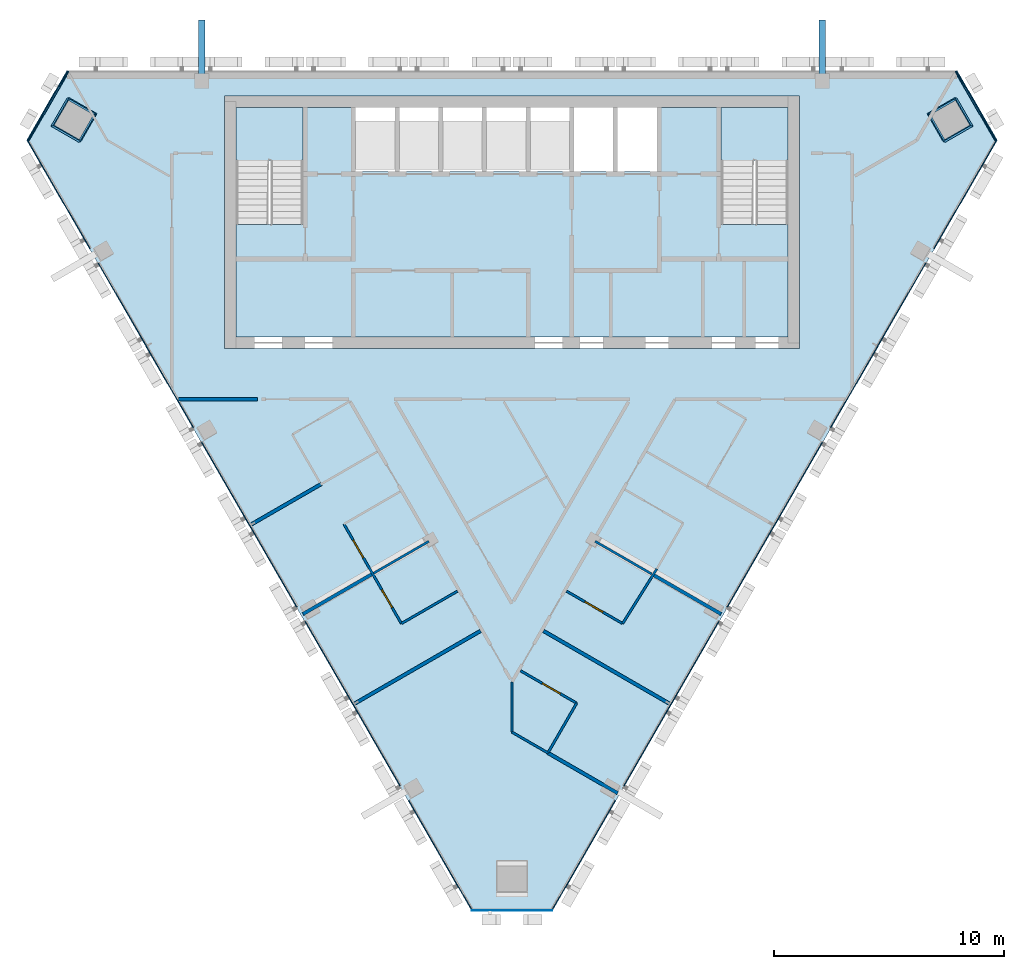
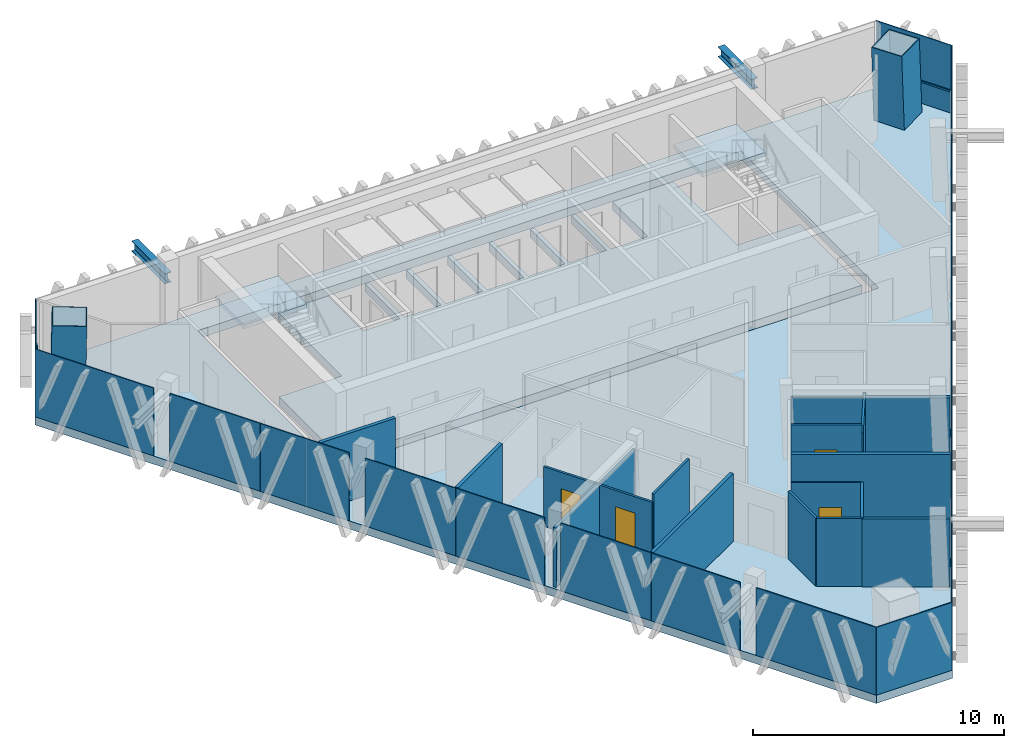
# One storey, part 5 of 12: 19 plates, 17 walls, 6 members, 4 doors, 4 slabs, 4 openings, 7 elements without a shape of their own.
"""IFC4 building model written with IfcOpenShell, lengths in metres."""

from ifc_helpers import new_model, si_unit, direction, frame, frame_2d, origin, origin_2d, place, context, subcontext, project, spatial, polyline, rectangle, hollow_rectangle, i_section, outline, extrude, material, layer, layer_set, material_profile, profile_set, type_object, element, fill, aggregate, save


model = new_model("IFC4")

# Units and contexts
model_context = context("Model", 3, precision=1e-05, world=origin(), true_north=direction((0.0, 1.0)))
body_context = subcontext(model_context, "Body", "Model", "MODEL_VIEW")
ifc_project = project(units=[si_unit("LENGTHUNIT", "METRE"), si_unit("AREAUNIT", "SQUARE_METRE"), si_unit("VOLUMEUNIT", "CUBIC_METRE"), si_unit("PLANEANGLEUNIT", "RADIAN"), si_unit("MASSUNIT", "GRAM", prefix="KILO")], contexts=[model_context])

# Site, building, storey
site_placement = place(None, origin())
site = spatial("IfcSite", under=ifc_project, at=site_placement, CompositionType="ELEMENT")
building_placement = place(site_placement, origin())
building = spatial("IfcBuilding", under=site, at=building_placement, Name="Altiplano Prism Tower", CompositionType="ELEMENT")
storey_placement = place(building_placement, frame((0.0, 0.0, 331.0)))
storey = spatial("IfcBuildingStorey", under=building, at=storey_placement, Name="L86", CompositionType="ELEMENT", Elevation=331.0)

# Members
ifc_material_1 = material(Name="Steel S355", Category="steel")
ifc_material_profile_1 = material_profile(ifc_material_1, i_section(OverallWidth=0.300048828125, OverallDepth=0.5, WebThickness=0.014404296875, FlangeThickness=0.028076171875, FilletRadius=0.027099609375, at=origin_2d()), Name="Brace bracket HEB 500")
ifc_profile_set_1 = profile_set([ifc_material_profile_1], Name="Steel S355")
member_type_1 = type_object("IfcMemberType", Name="Brace bracket HEB 500", PredefinedType="STRUT", material=ifc_profile_set_1)
for number, where, z_axis, x_axis, name in (
    (1, (98.5, 104.550048828125, 2.52587890625), (0.0, 1.0, 0.0), (-1.0, 0.0, 0.0), "Brace bracket 0.334.6"),
    (2, (71.5, 104.550048828125, 2.52587890625), (0.0, 1.0, 0.0), (-1.0, 0.0, 0.0), "Brace bracket 0.334.6"),
):
    element("IfcMember", number, at=place(storey_placement, frame(where, z_axis=z_axis, x_axis=x_axis)), inside=storey, type_object=member_type_1, Name=name, PredefinedType="STRUT", context=body_context, shape_type="SweptSolid", body=[
        extrude(i_section(OverallWidth=0.300048828125, OverallDepth=0.5, WebThickness=0.014404296875, FlangeThickness=0.028076171875, FilletRadius=0.027099609375, at=origin_2d()), origin(), (0.0, 0.0, 1.0), 2.64990234375),
    ])

# Curtain wall, member
ifc_material_2 = material(Name="Aluminium and glass", Category="aluminium")
ifc_layer_1 = layer(ifc_material_2, 0.280029296875)
ifc_layer_set_1 = layer_set([ifc_layer_1], Name="Aluminium and glass")
curtain_wall_type = type_object("IfcCurtainWallType", Name="CW1 typical co-living unitised curtain wall", PredefinedType="NOTDEFINED", material=ifc_layer_set_1)
curtain_wall_1_placement = place(storey_placement, origin())
curtain_wall_1 = element("IfcCurtainWall", 3, at=curtain_wall_1_placement, inside=storey, type_object=curtain_wall_type, Name="CW1 curtain wall north-west chamfer L86", PredefinedType="NOTDEFINED")
ifc_material_3 = material(Name="Aluminium", Category="aluminium")
ifc_material_profile_2 = material_profile(ifc_material_3, rectangle(XDim=0.06005859375, YDim=0.080078125, at=origin_2d()), Name="CW1 transom 80 x 60")
ifc_profile_set_2 = profile_set([ifc_material_profile_2], Name="Aluminium")
member_type_2 = type_object("IfcMemberType", Name="CW1 transom 80 x 60", PredefinedType="USERDEFINED", material=ifc_profile_set_2)
member_1_placement = place(storey_placement, frame((65.697265625, 104.965087890625, 1.10009765625), z_axis=(-0.500002181665, -0.866024144196, 0.0), x_axis=(0.866024144196, -0.500002181665, 0.0)))
member_1 = element("IfcMember", 4, at=member_1_placement, type_object=member_type_2, Name="CW1 transom", ObjectType="TRANSOM", PredefinedType="USERDEFINED", context=body_context, shape_type="SweptSolid", body=[
    extrude(rectangle(XDim=0.06005859375, YDim=0.080078125, at=origin_2d()), origin(), (0.0, 0.0, 1.0), 3.50048828125),
])

curtain_wall_2_placement = place(storey_placement, origin())
curtain_wall_2 = element("IfcCurtainWall", 5, at=curtain_wall_2_placement, inside=storey, type_object=curtain_wall_type, Name="CW1 curtain wall north-east chamfer L86", PredefinedType="NOTDEFINED")
member_2_placement = place(storey_placement, frame((106.052978515625, 101.93359375, 1.10009765625), z_axis=(-0.500002181665, 0.866024144196, 0.0), x_axis=(-0.866024144196, -0.500002181665, 0.0)))
member_2 = element("IfcMember", 6, at=member_2_placement, type_object=member_type_2, Name="CW1 transom", ObjectType="TRANSOM", PredefinedType="USERDEFINED", context=body_context, shape_type="SweptSolid", body=[
    extrude(rectangle(XDim=0.06005859375, YDim=0.080078125, at=origin_2d()), origin(), (0.0, 0.0, 1.0), 3.50048828125),
])

# Members
ifc_material_4 = material(Name="Steel S460", Category="steel")
ifc_material_profile_3 = material_profile(ifc_material_4, hollow_rectangle(XDim=1.39990234375, YDim=1.39990234375, WallThickness=0.0400390625, at=origin_2d()), Name="Mega column tube 1400")
ifc_profile_set_3 = profile_set([ifc_material_profile_3], Name="Steel S460")
member_type_3 = type_object("IfcMemberType", Name="Mega column tube 1400", PredefinedType="POST", material=ifc_profile_set_3)
for number, where, z_axis, x_axis, name in (
    (7, (65.887451171875, 102.834228515625, 0.0), (0.028334066552, 0.009286524205, 0.999555371723), (-0.866557120793, 0.498679770739, 0.019930947233), "Mega column tube M0 L86"),
    (8, (104.112548828125, 102.834228515625, 0.0), (-0.028334066552, 0.009286524205, 0.999555371723), (0.498275449892, -0.866735113681, 0.022176986887), "Mega column tube M2 L86"),
):
    element("IfcMember", number, at=place(storey_placement, frame(where, z_axis=z_axis, x_axis=x_axis)), inside=storey, type_object=member_type_3, Name=name, PredefinedType="POST", context=body_context, shape_type="SweptSolid", body=[
        extrude(hollow_rectangle(XDim=1.39990234375, YDim=1.39990234375, WallThickness=0.0400390625, at=origin_2d()), origin(), (0.0, 0.0, 1.0), 3.601806640625),
    ])

# Plate
ifc_material_5 = material(Name="Clear glass", Category="glass")
ifc_layer_2 = layer(ifc_material_5, 0.0400390625)
ifc_layer_set_2 = layer_set([ifc_layer_2], Name="Clear glass")
plate_type = type_object("IfcPlateType", Name="CW1 insulated glass unit 40", PredefinedType="CURTAIN_PANEL", material=ifc_layer_set_2)
plate_1_placement = place(storey_placement, frame((64.77880859375, 103.474365234375, 0.0), z_axis=(0.0, 0.0, 1.0), x_axis=(-0.499999989737, -0.86602540971, 0.0)))
plate_1 = element("IfcPlate", 9, at=plate_1_placement, type_object=plate_type, Name="CW1 panel", PredefinedType="CURTAIN_PANEL", context=body_context, shape_type="SweptSolid", body=[
    extrude(rectangle(XDim=3.490234375, YDim=0.0400390625, at=origin_2d()), origin(), (0.0, 0.0, 1.0), 3.300048828125),
])

aggregate(curtain_wall_1, [member_1, plate_1])

# Curtain wall, plates
curtain_wall_3_placement = place(storey_placement, origin())
curtain_wall_3 = element("IfcCurtainWall", 10, at=curtain_wall_3_placement, inside=storey, type_object=curtain_wall_type, Name="CW1 curtain wall south-west face L86", PredefinedType="NOTDEFINED")
plate_2_placement = place(storey_placement, frame((65.2685546875, 99.614990234375, 0.0), z_axis=(0.0, 0.0, 1.0), x_axis=(0.499999995602, -0.866025406324, 0.0)))
plate_2 = element("IfcPlate", 11, at=plate_2_placement, type_object=plate_type, Name="CW1 panel", PredefinedType="CURTAIN_PANEL", context=body_context, shape_type="SweptSolid", body=[
    extrude(rectangle(XDim=5.44873046875, YDim=0.0400390625, at=origin_2d()), origin(), (0.0, 0.0, 1.0), 3.300048828125),
])
plate_3_placement = place(storey_placement, frame((68.041748046875, 94.811279296875, 0.0), z_axis=(0.0, 0.0, 1.0), x_axis=(0.499999995602, -0.866025406324, 0.0)))
plate_3 = element("IfcPlate", 12, at=plate_3_placement, type_object=plate_type, Name="CW1 panel", PredefinedType="CURTAIN_PANEL", context=body_context, shape_type="SweptSolid", body=[
    extrude(rectangle(XDim=4.16455078125, YDim=0.0400390625, at=origin_2d()), origin(), (0.0, 0.0, 1.0), 3.300048828125),
])
plate_4_placement = place(storey_placement, frame((70.109375, 91.230224609375, 0.0), z_axis=(0.0, 0.0, 1.0), x_axis=(0.499999995602, -0.866025406324, 0.0)))
plate_4 = element("IfcPlate", 13, at=plate_4_placement, type_object=plate_type, Name="CW1 panel", PredefinedType="CURTAIN_PANEL", context=body_context, shape_type="SweptSolid", body=[
    extrude(rectangle(XDim=4.08544921875, YDim=0.0400390625, at=origin_2d()), origin(), (0.0, 0.0, 1.0), 3.300048828125),
])
plate_5_placement = place(storey_placement, frame((72.541748046875, 87.01708984375, 0.0), z_axis=(0.0, 0.0, 1.0), x_axis=(0.499999995602, -0.866025406324, 0.0)))
plate_5 = element("IfcPlate", 14, at=plate_5_placement, type_object=plate_type, Name="CW1 panel", PredefinedType="CURTAIN_PANEL", context=body_context, shape_type="SweptSolid", body=[
    extrude(rectangle(XDim=4.16455078125, YDim=0.0400390625, at=origin_2d()), origin(), (0.0, 0.0, 1.0), 3.300048828125),
])
plate_6_placement = place(storey_placement, frame((74.609375, 83.43603515625, 0.0), z_axis=(0.0, 0.0, 1.0), x_axis=(0.499999995602, -0.866025406324, 0.0)))
plate_6 = element("IfcPlate", 15, at=plate_6_placement, type_object=plate_type, Name="CW1 panel", PredefinedType="CURTAIN_PANEL", context=body_context, shape_type="SweptSolid", body=[
    extrude(rectangle(XDim=4.08544921875, YDim=0.0400390625, at=origin_2d()), origin(), (0.0, 0.0, 1.0), 3.300048828125),
])
plate_7_placement = place(storey_placement, frame((77.041748046875, 79.222900390625, 0.0), z_axis=(0.0, 0.0, 1.0), x_axis=(0.499999995602, -0.866025406324, 0.0)))
plate_7 = element("IfcPlate", 16, at=plate_7_placement, type_object=plate_type, Name="CW1 panel", PredefinedType="CURTAIN_PANEL", context=body_context, shape_type="SweptSolid", body=[
    extrude(rectangle(XDim=4.16455078125, YDim=0.0400390625, at=origin_2d()), origin(), (0.0, 0.0, 1.0), 3.300048828125),
])
plate_8_placement = place(storey_placement, frame((79.109375, 75.641845703125, 0.0), z_axis=(0.0, 0.0, 1.0), x_axis=(0.499999995602, -0.866025406324, 0.0)))
plate_8 = element("IfcPlate", 17, at=plate_8_placement, type_object=plate_type, Name="CW1 panel", PredefinedType="CURTAIN_PANEL", context=body_context, shape_type="SweptSolid", body=[
    extrude(rectangle(XDim=4.08544921875, YDim=0.0400390625, at=origin_2d()), origin(), (0.0, 0.0, 1.0), 3.300048828125),
])
plate_9_placement = place(storey_placement, frame((81.8828125, 70.838134765625, 0.0), z_axis=(0.0, 0.0, 1.0), x_axis=(0.499999995602, -0.866025406324, 0.0)))
plate_9 = element("IfcPlate", 18, at=plate_9_placement, type_object=plate_type, Name="CW1 panel", PredefinedType="CURTAIN_PANEL", context=body_context, shape_type="SweptSolid", body=[
    extrude(rectangle(XDim=5.52783203125, YDim=0.0400390625, at=origin_2d()), origin(), (0.0, 0.0, 1.0), 3.300048828125),
])
aggregate(curtain_wall_3, [plate_2, plate_3, plate_4, plate_5, plate_6, plate_7, plate_8, plate_9])

# Curtain wall, plate
curtain_wall_4_placement = place(storey_placement, origin())
curtain_wall_4 = element("IfcCurtainWall", 19, at=curtain_wall_4_placement, inside=storey, type_object=curtain_wall_type, Name="CW1 curtain wall south chamfer L86", PredefinedType="NOTDEFINED")
plate_10_placement = place(storey_placement, frame((85.0, 68.4501953125, 0.0), z_axis=(0.0, 0.0, 1.0), x_axis=(1.0, 0.0, 0.0)))
plate_10 = element("IfcPlate", 20, at=plate_10_placement, type_object=plate_type, Name="CW1 panel", PredefinedType="CURTAIN_PANEL", context=body_context, shape_type="SweptSolid", body=[
    extrude(rectangle(XDim=3.490234375, YDim=0.0400390625, at=origin_2d()), origin(), (0.0, 0.0, 1.0), 3.300048828125),
])
aggregate(curtain_wall_4, [plate_10])

# Curtain wall, plates
curtain_wall_5_placement = place(storey_placement, origin())
curtain_wall_5 = element("IfcCurtainWall", 21, at=curtain_wall_5_placement, inside=storey, type_object=curtain_wall_type, Name="CW1 curtain wall south-east face L86", PredefinedType="NOTDEFINED")
plate_11_placement = place(storey_placement, frame((88.1171875, 70.838134765625, 0.0), z_axis=(0.0, 0.0, 1.0), x_axis=(0.499999995602, 0.866025406324, 0.0)))
plate_11 = element("IfcPlate", 22, at=plate_11_placement, type_object=plate_type, Name="CW1 panel", PredefinedType="CURTAIN_PANEL", context=body_context, shape_type="SweptSolid", body=[
    extrude(rectangle(XDim=5.52783203125, YDim=0.0400390625, at=origin_2d()), origin(), (0.0, 0.0, 1.0), 3.300048828125),
])
plate_12_placement = place(storey_placement, frame((90.890625, 75.641845703125, 0.0), z_axis=(0.0, 0.0, 1.0), x_axis=(0.499999995602, 0.866025406324, 0.0)))
plate_12 = element("IfcPlate", 23, at=plate_12_placement, type_object=plate_type, Name="CW1 panel", PredefinedType="CURTAIN_PANEL", context=body_context, shape_type="SweptSolid", body=[
    extrude(rectangle(XDim=4.08544921875, YDim=0.0400390625, at=origin_2d()), origin(), (0.0, 0.0, 1.0), 3.300048828125),
])
plate_13_placement = place(storey_placement, frame((92.958251953125, 79.222900390625, 0.0), z_axis=(0.0, 0.0, 1.0), x_axis=(0.499999995602, 0.866025406324, 0.0)))
plate_13 = element("IfcPlate", 24, at=plate_13_placement, type_object=plate_type, Name="CW1 panel", PredefinedType="CURTAIN_PANEL", context=body_context, shape_type="SweptSolid", body=[
    extrude(rectangle(XDim=4.16455078125, YDim=0.0400390625, at=origin_2d()), origin(), (0.0, 0.0, 1.0), 3.300048828125),
])
plate_14_placement = place(storey_placement, frame((95.390625, 83.43603515625, 0.0), z_axis=(0.0, 0.0, 1.0), x_axis=(0.499999995602, 0.866025406324, 0.0)))
plate_14 = element("IfcPlate", 25, at=plate_14_placement, type_object=plate_type, Name="CW1 panel", PredefinedType="CURTAIN_PANEL", context=body_context, shape_type="SweptSolid", body=[
    extrude(rectangle(XDim=4.08544921875, YDim=0.0400390625, at=origin_2d()), origin(), (0.0, 0.0, 1.0), 3.300048828125),
])
plate_15_placement = place(storey_placement, frame((97.458251953125, 87.01708984375, 0.0), z_axis=(0.0, 0.0, 1.0), x_axis=(0.499999995602, 0.866025406324, 0.0)))
plate_15 = element("IfcPlate", 26, at=plate_15_placement, type_object=plate_type, Name="CW1 panel", PredefinedType="CURTAIN_PANEL", context=body_context, shape_type="SweptSolid", body=[
    extrude(rectangle(XDim=4.16455078125, YDim=0.0400390625, at=origin_2d()), origin(), (0.0, 0.0, 1.0), 3.300048828125),
])
plate_16_placement = place(storey_placement, frame((99.890625, 91.230224609375, 0.0), z_axis=(0.0, 0.0, 1.0), x_axis=(0.499999995602, 0.866025406324, 0.0)))
plate_16 = element("IfcPlate", 27, at=plate_16_placement, type_object=plate_type, Name="CW1 panel", PredefinedType="CURTAIN_PANEL", context=body_context, shape_type="SweptSolid", body=[
    extrude(rectangle(XDim=4.08544921875, YDim=0.0400390625, at=origin_2d()), origin(), (0.0, 0.0, 1.0), 3.300048828125),
])
plate_17_placement = place(storey_placement, frame((101.958251953125, 94.811279296875, 0.0), z_axis=(0.0, 0.0, 1.0), x_axis=(0.499999995602, 0.866025406324, 0.0)))
plate_17 = element("IfcPlate", 28, at=plate_17_placement, type_object=plate_type, Name="CW1 panel", PredefinedType="CURTAIN_PANEL", context=body_context, shape_type="SweptSolid", body=[
    extrude(rectangle(XDim=4.16455078125, YDim=0.0400390625, at=origin_2d()), origin(), (0.0, 0.0, 1.0), 3.300048828125),
])
plate_18_placement = place(storey_placement, frame((104.7314453125, 99.614990234375, 0.0), z_axis=(0.0, 0.0, 1.0), x_axis=(0.499999995602, 0.866025406324, 0.0)))
plate_18 = element("IfcPlate", 29, at=plate_18_placement, type_object=plate_type, Name="CW1 panel", PredefinedType="CURTAIN_PANEL", context=body_context, shape_type="SweptSolid", body=[
    extrude(rectangle(XDim=5.44873046875, YDim=0.0400390625, at=origin_2d()), origin(), (0.0, 0.0, 1.0), 3.300048828125),
])
aggregate(curtain_wall_5, [plate_11, plate_12, plate_13, plate_14, plate_15, plate_16, plate_17, plate_18])

# Plate
plate_19_placement = place(storey_placement, frame((105.22119140625, 103.474365234375, 0.0), z_axis=(0.0, 0.0, 1.0), x_axis=(-0.499999989737, 0.86602540971, 0.0)))
plate_19 = element("IfcPlate", 30, at=plate_19_placement, type_object=plate_type, Name="CW1 panel", PredefinedType="CURTAIN_PANEL", context=body_context, shape_type="SweptSolid", body=[
    extrude(rectangle(XDim=3.490234375, YDim=0.0400390625, at=origin_2d()), origin(), (0.0, 0.0, 1.0), 3.300048828125),
])

aggregate(curtain_wall_2, [member_2, plate_19])

# Slabs
ifc_material_6 = material(Name="Concrete C40/50", Category="concrete")
ifc_layer_3 = layer(ifc_material_6, 0.39990234375)
ifc_layer_set_3 = layer_set([ifc_layer_3], Name="Concrete C40/50")
slab_type_1 = type_object("IfcSlabType", Name="Core floor slab 400", PredefinedType="FLOOR", material=ifc_layer_set_3)
slab_1_placement = place(storey_placement, frame((0.0, 0.0, -0.39990234375)))
element("IfcSlab", 31, at=slab_1_placement, inside=storey, type_object=slab_type_1, Name="Core floor slab L86", PredefinedType="FLOOR", context=body_context, shape_type="SweptSolid", body=[
    extrude(outline(polyline([(97.0, 98.31005859375), (94.10009765625, 98.31005859375), (94.10009765625, 103.39990234375), (91.300048828125, 103.39990234375), (91.300048828125, 100.60009765625), (89.60009765625, 100.60009765625), (89.60009765625, 103.39990234375), (89.39990234375, 103.39990234375), (89.39990234375, 100.60009765625), (87.699951171875, 100.60009765625), (87.699951171875, 103.39990234375), (87.5, 103.39990234375), (87.5, 100.60009765625), (85.800048828125, 100.60009765625), (85.800048828125, 103.39990234375), (85.60009765625, 103.39990234375), (85.60009765625, 100.60009765625), (83.89990234375, 100.60009765625), (83.89990234375, 103.39990234375), (83.699951171875, 103.39990234375), (83.699951171875, 100.60009765625), (82.0, 100.60009765625), (82.0, 103.39990234375), (81.800048828125, 103.39990234375), (81.800048828125, 100.60009765625), (80.10009765625, 100.60009765625), (80.10009765625, 103.39990234375), (79.89990234375, 103.39990234375), (79.89990234375, 100.60009765625), (78.199951171875, 100.60009765625), (78.199951171875, 103.39990234375), (75.89990234375, 103.39990234375), (75.89990234375, 98.31005859375), (73.0, 98.31005859375), (73.0, 93.39990234375), (97.0, 93.39990234375), (97.0, 98.31005859375)])), origin(), (0.0, 0.0, 1.0), 0.39990234375),
])
ifc_layer_4 = layer(ifc_material_6, 0.39990234375)
ifc_layer_set_4 = layer_set([ifc_layer_4], Name="Concrete C40/50")
slab_type_2 = type_object("IfcSlabType", Name="Post-tensioned flat slab 400", PredefinedType="FLOOR", material=ifc_layer_set_4)
slab_2_placement = place(storey_placement, frame((0.0, 0.0, -0.39990234375)))
element("IfcSlab", 32, at=slab_2_placement, inside=storey, type_object=slab_type_2, Name="Floor slab L86", PredefinedType="FLOOR", context=body_context, shape_type="SweptSolid", body=[
    extrude(outline(polyline([(106.113525390625, 101.96875), (86.750244140625, 68.43017578125), (83.249755859375, 68.43017578125), (63.886474609375, 101.96875), (65.63671875, 105.0), (104.36328125, 105.0), (106.113525390625, 101.96875)]), holes=[polyline([(97.5, 92.89990234375), (97.5, 103.89990234375), (72.5, 103.89990234375), (72.5, 92.89990234375), (97.5, 92.89990234375)])]), origin(), (0.0, 0.0, 1.0), 0.39990234375),
])

# Stair, slab
stair_type = type_object("IfcStairType", Name="Exit stair 1400", PredefinedType="HALF_TURN_STAIR", material=ifc_material_6)
stair_1_placement = place(storey_placement, origin())
stair_1 = element("IfcStair", 33, at=stair_1_placement, inside=storey, type_object=stair_type, Name="L86 Exit Stair 1", PredefinedType="HALF_TURN_STAIR")
ifc_layer_5 = layer(ifc_material_6, 0.199951171875)
ifc_layer_set_5 = layer_set([ifc_layer_5], Name="Concrete C40/50")
slab_type_3 = type_object("IfcSlabType", Name="Stair landing 200", PredefinedType="LANDING", material=ifc_layer_set_5)
slab_3_placement = place(storey_placement, frame((0.0, 0.0, 1.60009765625)))
slab_3 = element("IfcSlab", 34, at=slab_3_placement, type_object=slab_type_3, Name="ST1 landing 1", PredefinedType="LANDING", context=body_context, shape_type="SweptSolid", body=[
    extrude(outline(polyline([(75.89990234375, 101.096923828125), (75.89990234375, 103.39990234375), (73.0, 103.39990234375), (73.0, 101.096923828125), (75.89990234375, 101.096923828125)])), origin(), (0.0, 0.0, 1.0), 0.199951171875),
])
aggregate(stair_1, [slab_3])

stair_2_placement = place(storey_placement, origin())
stair_2 = element("IfcStair", 35, at=stair_2_placement, inside=storey, type_object=stair_type, Name="L86 Exit Stair 2", PredefinedType="HALF_TURN_STAIR")
slab_4_placement = place(storey_placement, frame((0.0, 0.0, 1.60009765625)))
slab_4 = element("IfcSlab", 36, at=slab_4_placement, type_object=slab_type_3, Name="ST2 landing 1", PredefinedType="LANDING", context=body_context, shape_type="SweptSolid", body=[
    extrude(outline(polyline([(97.0, 101.096923828125), (97.0, 103.39990234375), (94.10009765625, 103.39990234375), (94.10009765625, 101.096923828125), (97.0, 101.096923828125)])), origin(), (0.0, 0.0, 1.0), 0.199951171875),
])
aggregate(stair_2, [slab_4])

# Wall, openings, doors
ifc_material_7 = material(Name="Plasterboard on steel stud", Category="steel")
ifc_layer_6 = layer(ifc_material_7, 0.10009765625)
ifc_layer_set_6 = layer_set([ifc_layer_6], Name="Plasterboard on steel stud")
wall_type_1 = type_object("IfcWallType", Name="Partition 100 unit", PredefinedType="PARTITIONING", material=ifc_layer_set_6)
wall_1_placement = place(storey_placement, frame((80.185791015625, 80.937255859375, 0.0), z_axis=(0.0, 0.0, 1.0), x_axis=(-0.500004234368, 0.866022959057, 0.0)))
wall_1 = element("IfcWall", 37, at=wall_1_placement, inside=storey, type_object=wall_type_1, Name="Partition P02 L86 022", PredefinedType="PARTITIONING", context=body_context, shape_type="SweptSolid", body=[
    extrude(rectangle(XDim=5.0, YDim=0.10009765625, at=frame_2d((2.5, 0.0))), origin(), (0.0, 0.0, 1.0), 2.89990234375),
])
opening_1_placement = place(wall_1_placement, frame((3.300048828125, 0.0, 0.0)))
opening_1 = element("IfcOpeningElement", 38, at=opening_1_placement, cuts=wall_1, Name="Opening D2490", PredefinedType="OPENING", context=body_context, shape_type="SweptSolid", body=[
    extrude(rectangle(XDim=0.89990234375, YDim=2.10009765625, at=frame_2d((0.449951171875, 1.050048828125))), frame((0.0, 0.060546875, 0.0), z_axis=(0.0, -1.0, 0.0), x_axis=(1.0, 0.0, 0.0)), (0.0, 0.0, 1.0), 0.12109375),
])
opening_2_placement = place(wall_1_placement, frame((0.800048828125, 0.0, 0.0)))
opening_2 = element("IfcOpeningElement", 39, at=opening_2_placement, cuts=wall_1, Name="Opening D2492", PredefinedType="OPENING", context=body_context, shape_type="SweptSolid", body=[
    extrude(rectangle(XDim=0.89990234375, YDim=2.10009765625, at=frame_2d((0.449951171875, 1.050048828125))), frame((0.0, 0.060546875, 0.0), z_axis=(0.0, -1.0, 0.0), x_axis=(1.0, 0.0, 0.0)), (0.0, 0.0, 1.0), 0.12109375),
])
ifc_material_8 = material(Name="Timber", Category="wood")
door_type = type_object("IfcDoorType", Name="Ensuite door 900 x 2100", OperationType="NOTDEFINED", PredefinedType="NOTDEFINED", material=ifc_material_8)
door_1_placement = place(opening_1_placement, origin())
door_1 = element("IfcDoor", 40, at=door_1_placement, inside=storey, type_object=door_type, Name="Door D2490", OperationType="SINGLE_SWING_RIGHT", OverallHeight=2.10009765625, OverallWidth=0.89990234375, PredefinedType="NOTDEFINED", context=body_context, shape_type="SweptSolid", body=[
    extrude(rectangle(XDim=0.89990234375, YDim=2.10009765625, at=frame_2d((0.449951171875, 1.050048828125))), frame((0.0, 0.02490234375, 0.0), z_axis=(0.0, -1.0, 0.0), x_axis=(1.0, 0.0, 0.0)), (0.0, 0.0, 1.0), 0.050048828125),
])
fill(opening_1, door_1)
door_2_placement = place(opening_2_placement, origin())
door_2 = element("IfcDoor", 41, at=door_2_placement, inside=storey, type_object=door_type, Name="Door D2492", OperationType="SINGLE_SWING_RIGHT", OverallHeight=2.10009765625, OverallWidth=0.89990234375, PredefinedType="NOTDEFINED", context=body_context, shape_type="SweptSolid", body=[
    extrude(rectangle(XDim=0.89990234375, YDim=2.10009765625, at=frame_2d((0.449951171875, 1.050048828125))), frame((0.0, 0.02490234375, 0.0), z_axis=(0.0, -1.0, 0.0), x_axis=(1.0, 0.0, 0.0)), (0.0, 0.0, 1.0), 0.050048828125),
])
fill(opening_2, door_2)

# Wall
wall_2_placement = place(storey_placement, frame((82.63232421875, 82.349853515625, 0.0), z_axis=(0.0, 0.0, 1.0), x_axis=(-0.866011447264, -0.500024172624, 0.0)))
element("IfcWall", 42, at=wall_2_placement, inside=storey, type_object=wall_type_1, Name="Partition P02 L86 026", PredefinedType="PARTITIONING", context=body_context, shape_type="SweptSolid", body=[
    extrude(rectangle(XDim=2.824951171875, YDim=0.10009765625, at=frame_2d((1.41259765625, 0.0))), origin(), (0.0, 0.0, 1.0), 3.300048828125),
])

# Wall, opening, door
wall_3_placement = place(storey_placement, frame((85.36767578125, 78.8857421875, 0.0), z_axis=(0.0, 0.0, 1.0), x_axis=(0.866011447264, -0.500024172624, 0.0)))
wall_3 = element("IfcWall", 43, at=wall_3_placement, inside=storey, type_object=wall_type_1, Name="Partition P02 L86 031", PredefinedType="PARTITIONING", context=body_context, shape_type="SweptSolid", body=[
    extrude(rectangle(XDim=2.824951171875, YDim=0.10009765625, at=frame_2d((1.41259765625, 0.0))), origin(), (0.0, 0.0, 1.0), 3.300048828125),
])
opening_3_placement = place(wall_3_placement, frame((1.10595703125, 0.0, 0.0)))
opening_3 = element("IfcOpeningElement", 44, at=opening_3_placement, cuts=wall_3, Name="Opening D2495", PredefinedType="OPENING", context=body_context, shape_type="SweptSolid", body=[
    extrude(rectangle(XDim=0.89990234375, YDim=2.10009765625, at=frame_2d((0.449951171875, 1.050048828125))), frame((0.0, 0.060546875, 0.0), z_axis=(0.0, -1.0, 0.0), x_axis=(1.0, 0.0, 0.0)), (0.0, 0.0, 1.0), 0.12109375),
])
door_3_placement = place(opening_3_placement, origin())
door_3 = element("IfcDoor", 45, at=door_3_placement, inside=storey, type_object=door_type, Name="Door D2495", OperationType="SINGLE_SWING_RIGHT", OverallHeight=2.10009765625, OverallWidth=0.89990234375, PredefinedType="NOTDEFINED", context=body_context, shape_type="SweptSolid", body=[
    extrude(rectangle(XDim=0.89990234375, YDim=2.10009765625, at=frame_2d((0.449951171875, 1.050048828125))), frame((0.0, 0.02490234375, 0.0), z_axis=(0.0, -1.0, 0.0), x_axis=(1.0, 0.0, 0.0)), (0.0, 0.0, 1.0), 0.050048828125),
])
fill(opening_3, door_3)

# Walls
wall_4_placement = place(storey_placement, frame((87.814208984375, 77.47314453125, 0.0), z_axis=(0.0, 0.0, 1.0), x_axis=(-0.500004234368, -0.866022959057, 0.0)))
element("IfcWall", 46, at=wall_4_placement, inside=storey, type_object=wall_type_1, Name="Partition P02 L86 032", PredefinedType="PARTITIONING", context=body_context, shape_type="SweptSolid", body=[
    extrude(rectangle(XDim=2.5, YDim=0.10009765625, at=frame_2d((1.25, 0.0))), origin(), (0.0, 0.0, 1.0), 3.300048828125),
])
wall_5_placement = place(storey_placement, frame((91.30078125, 83.312255859375, 0.0), z_axis=(0.0, 0.0, 1.0), x_axis=(-0.530562750291, -0.847645661821, 0.0)))
element("IfcWall", 47, at=wall_5_placement, inside=storey, type_object=wall_type_1, Name="Partition P02 L86 034", PredefinedType="PARTITIONING", context=body_context, shape_type="SweptSolid", body=[
    extrude(rectangle(XDim=2.8017578125, YDim=0.10009765625, at=frame_2d((1.40087890625, 0.0))), origin(), (0.0, 0.0, 1.0), 2.89990234375),
])

# Wall, opening, door
wall_6_placement = place(storey_placement, frame((89.814208984375, 80.937255859375, 0.0), z_axis=(0.0, 0.0, 1.0), x_axis=(-0.866011447264, 0.500024172624, 0.0)))
wall_6 = element("IfcWall", 48, at=wall_6_placement, inside=storey, type_object=wall_type_1, Name="Partition P02 L86 035", PredefinedType="PARTITIONING", context=body_context, shape_type="SweptSolid", body=[
    extrude(rectangle(XDim=2.824951171875, YDim=0.10009765625, at=frame_2d((1.41259765625, 0.0))), origin(), (0.0, 0.0, 1.0), 3.300048828125),
])
opening_4_placement = place(wall_6_placement, frame((1.0, 0.0, 0.0)))
opening_4 = element("IfcOpeningElement", 49, at=opening_4_placement, cuts=wall_6, Name="Opening D2497", PredefinedType="OPENING", context=body_context, shape_type="SweptSolid", body=[
    extrude(rectangle(XDim=0.89990234375, YDim=2.10009765625, at=frame_2d((0.449951171875, 1.050048828125))), frame((0.0, 0.060546875, 0.0), z_axis=(0.0, -1.0, 0.0), x_axis=(1.0, 0.0, 0.0)), (0.0, 0.0, 1.0), 0.12109375),
])
door_4_placement = place(opening_4_placement, origin())
door_4 = element("IfcDoor", 50, at=door_4_placement, inside=storey, type_object=door_type, Name="Door D2497", OperationType="SINGLE_SWING_RIGHT", OverallHeight=2.10009765625, OverallWidth=0.89990234375, PredefinedType="NOTDEFINED", context=body_context, shape_type="SweptSolid", body=[
    extrude(rectangle(XDim=0.89990234375, YDim=2.10009765625, at=frame_2d((0.449951171875, 1.050048828125))), frame((0.0, 0.02490234375, 0.0), z_axis=(0.0, -1.0, 0.0), x_axis=(1.0, 0.0, 0.0)), (0.0, 0.0, 1.0), 0.050048828125),
])
fill(opening_4, door_4)

# Walls
ifc_layer_7 = layer(ifc_material_7, 0.10009765625)
ifc_layer_set_7 = layer_set([ifc_layer_7], Name="Plasterboard on steel stud")
wall_type_2 = type_object("IfcWallType", Name="Partition 100 wet", PredefinedType="PARTITIONING", material=ifc_layer_set_7)
wall_7_placement = place(storey_placement, frame((78.979248046875, 83.12744140625, 0.0), z_axis=(0.0, 0.0, 1.0), x_axis=(0.866020020486, 0.50000932403, 0.0)))
element("IfcWall", 51, at=wall_7_placement, inside=storey, type_object=wall_type_2, Name="Partition P03 L86 025", PredefinedType="PARTITIONING", context=body_context, shape_type="SweptSolid", body=[
    extrude(rectangle(XDim=2.77490234375, YDim=0.10009765625, at=frame_2d((1.387451171875, 0.0))), origin(), (0.0, 0.0, 1.0), 2.89990234375),
])
wall_8_placement = place(storey_placement, frame((86.564208984375, 75.30810546875, 0.0), z_axis=(0.0, 0.0, 1.0), x_axis=(-0.866030271964, 0.499991567972, 0.0)))
element("IfcWall", 52, at=wall_8_placement, inside=storey, type_object=wall_type_2, Name="Partition P03 L86 029", PredefinedType="PARTITIONING", context=body_context, shape_type="SweptSolid", body=[
    extrude(rectangle(XDim=1.80615234375, YDim=0.10009765625, at=frame_2d((0.903076171875, 0.0))), origin(), (0.0, 0.0, 1.0), 3.300048828125),
])
wall_9_placement = place(storey_placement, frame((85.0, 76.211181640625, 0.0), z_axis=(0.0, 0.0, 1.0), x_axis=(0.0, 1.0, 0.0)))
element("IfcWall", 53, at=wall_9_placement, inside=storey, type_object=wall_type_2, Name="Partition P03 L86 030", PredefinedType="PARTITIONING", context=body_context, shape_type="SweptSolid", body=[
    extrude(rectangle(XDim=2.187744140625, YDim=0.10009765625, at=frame_2d((1.09375, 0.0))), origin(), (0.0, 0.0, 1.0), 3.300048828125),
])
wall_10_placement = place(storey_placement, frame((91.08154296875, 83.09228515625, 0.0), z_axis=(0.0, 0.0, 1.0), x_axis=(-0.866011243319, 0.500024525844, 0.0)))
element("IfcWall", 54, at=wall_10_placement, inside=storey, type_object=wall_type_2, Name="Partition P03 L86 037", PredefinedType="PARTITIONING", context=body_context, shape_type="SweptSolid", body=[
    extrude(rectangle(XDim=2.844970703125, YDim=0.10009765625, at=frame_2d((1.42236328125, 0.0))), origin(), (0.0, 0.0, 1.0), 2.89990234375),
])
ifc_layer_8 = layer(ifc_material_7, 0.14990234375)
ifc_layer_set_8 = layer_set([ifc_layer_8], Name="Plasterboard on steel stud")
wall_type_3 = type_object("IfcWallType", Name="Partition 150 corridor", PredefinedType="PARTITIONING", material=ifc_layer_set_8)
wall_11_placement = place(storey_placement, frame((70.480224609375, 90.697021484375, 0.0), z_axis=(0.0, 0.0, 1.0), x_axis=(1.0, 0.0, 0.0)))
element("IfcWall", 55, at=wall_11_placement, inside=storey, type_object=wall_type_3, Name="Partition P06 L86 005", PredefinedType="PARTITIONING", context=body_context, shape_type="SweptSolid", body=[
    extrude(rectangle(XDim=3.45458984375, YDim=0.14990234375, at=frame_2d((1.727294921875, 0.0))), origin(), (0.0, 0.0, 1.0), 3.300048828125),
])
ifc_layer_9 = layer(ifc_material_7, 0.14990234375)
ifc_layer_set_9 = layer_set([ifc_layer_9], Name="Plasterboard on steel stud")
wall_type_4 = type_object("IfcWallType", Name="Partition 150 party", PredefinedType="PARTITIONING", material=ifc_layer_set_9)
wall_12_placement = place(storey_placement, frame((73.63720703125, 85.2392578125, 0.0), z_axis=(0.0, 0.0, 1.0), x_axis=(0.866006432019, 0.500032858622, 0.0)))
element("IfcWall", 56, at=wall_12_placement, inside=storey, type_object=wall_type_4, Name="Partition P01 L86 020", PredefinedType="PARTITIONING", context=body_context, shape_type="SweptSolid", body=[
    extrude(rectangle(XDim=3.540283203125, YDim=0.14990234375, at=frame_2d((1.77001953125, 0.0))), origin(), (0.0, 0.0, 1.0), 3.300048828125),
])
wall_13_placement = place(storey_placement, frame((75.90478515625, 81.352294921875, 0.0), z_axis=(0.0, 0.0, 1.0), x_axis=(0.866013532718, 0.500020560727, 0.0)))
element("IfcWall", 57, at=wall_13_placement, inside=storey, type_object=wall_type_4, Name="Partition P01 L86 024", PredefinedType="PARTITIONING", context=body_context, shape_type="SweptSolid", body=[
    extrude(rectangle(XDim=3.449951171875, YDim=0.14990234375, at=frame_2d((1.72509765625, 0.0))), origin(), (0.0, 0.0, 1.0), 2.89990234375),
])
wall_14_placement = place(storey_placement, frame((78.13720703125, 77.445068359375, 0.0), z_axis=(0.0, 0.0, 1.0), x_axis=(0.866025401434, 0.500000004071, 0.0)))
element("IfcWall", 58, at=wall_14_placement, inside=storey, type_object=wall_type_4, Name="Partition P01 L86 027", PredefinedType="PARTITIONING", context=body_context, shape_type="SweptSolid", body=[
    extrude(rectangle(XDim=6.34521484375, YDim=0.14990234375, at=frame_2d((3.172607421875, 0.0))), origin(), (0.0, 0.0, 1.0), 3.300048828125),
])
wall_15_placement = place(storey_placement, frame((89.59521484375, 73.55810546875, 0.0), z_axis=(0.0, 0.0, 1.0), x_axis=(-0.866019471182, 0.500010275428, 0.0)))
element("IfcWall", 59, at=wall_15_placement, inside=storey, type_object=wall_type_4, Name="Partition P01 L86 028", PredefinedType="PARTITIONING", context=body_context, shape_type="SweptSolid", body=[
    extrude(rectangle(XDim=3.5, YDim=0.14990234375, at=frame_2d((1.75, 0.0))), origin(), (0.0, 0.0, 1.0), 3.300048828125),
])
wall_16_placement = place(storey_placement, frame((91.86279296875, 77.445068359375, 0.0), z_axis=(0.0, 0.0, 1.0), x_axis=(-0.866025401434, 0.500000004071, 0.0)))
element("IfcWall", 60, at=wall_16_placement, inside=storey, type_object=wall_type_4, Name="Partition P01 L86 033", PredefinedType="PARTITIONING", context=body_context, shape_type="SweptSolid", body=[
    extrude(rectangle(XDim=6.34521484375, YDim=0.14990234375, at=frame_2d((3.172607421875, 0.0))), origin(), (0.0, 0.0, 1.0), 3.300048828125),
])
wall_17_placement = place(storey_placement, frame((94.09521484375, 81.352294921875, 0.0), z_axis=(0.0, 0.0, 1.0), x_axis=(-0.866020560687, 0.500008388397, 0.0)))
element("IfcWall", 61, at=wall_17_placement, inside=storey, type_object=wall_type_4, Name="Partition P01 L86 036", PredefinedType="PARTITIONING", context=body_context, shape_type="SweptSolid", body=[
    extrude(rectangle(XDim=3.39990234375, YDim=0.14990234375, at=frame_2d((1.699951171875, 0.0))), origin(), (0.0, 0.0, 1.0), 2.89990234375),
])

save(model, "model.ifc")
